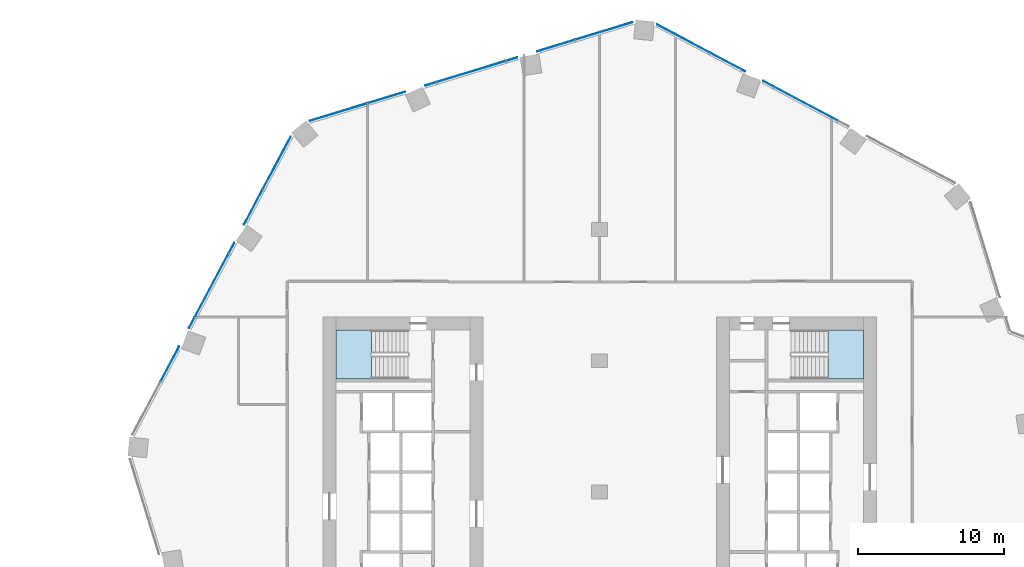
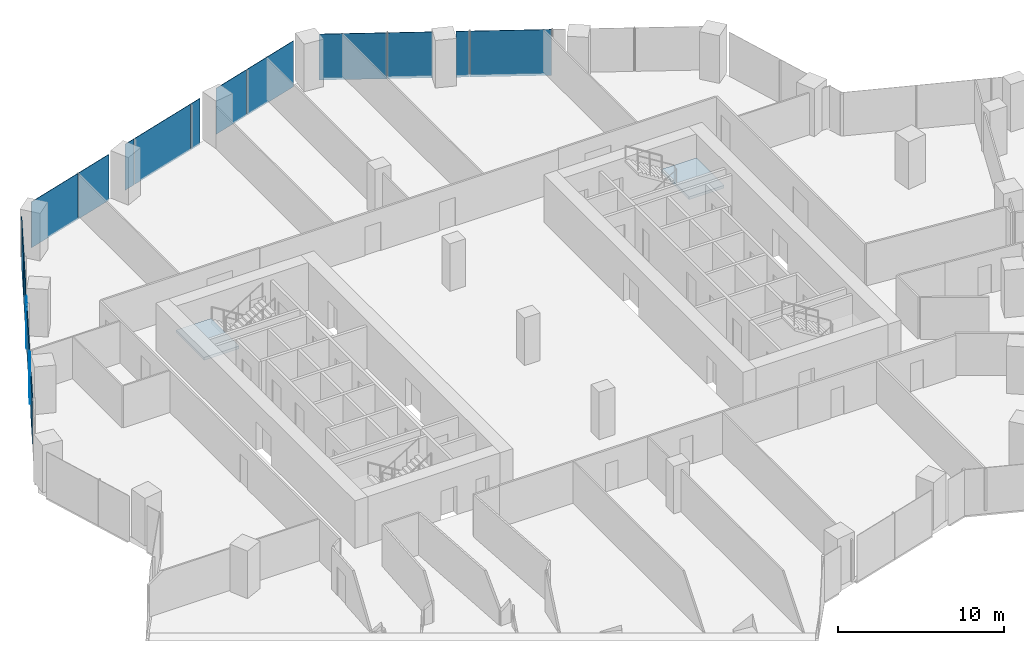
# One storey, part 21 of 31: 17 plates, 2 slabs, 5 elements without a shape of their own.
"""IFC4 building model written with IfcOpenShell, lengths in metres."""

import ifcopenshell
import ifcopenshell.guid

model = None  # the IFC model being written
_history = None  # IfcOwnerHistory: only IFC2X3 demands one
_inside = {}  # id of a spatial element -> (the spatial element, [elements in it])
_under = {}  # id of a project, library or spatial element -> (it, [spatial elements below it])
_declared = {}  # id of a project -> (the project, [libraries it declares])
_typed = {}  # id of a type object -> (the type object, [elements of that type])
_made_of = {}  # id of a material, layer set ... -> (it, [elements and type objects made of it])


def new_model(schema):
    """Start an empty IFC model of exactly this schema.

    Asked for "IFC4X3", IfcOpenShell would pick the latest addendum, in which some entities
    have other attributes; the version numbers below select the first issue.
    IFC2X3 requires an IfcOwnerHistory on every rooted entity: one is made here for all.
    """
    global model, _history
    if schema == "IFC4X3":
        model = ifcopenshell.file(schema_version=(4, 3, 0, 0))
    else:
        model = ifcopenshell.file(schema=schema)
    _inside.clear()
    _under.clear()
    _declared.clear()
    _typed.clear()
    _made_of.clear()
    _history = None
    if model.schema == "IFC2X3":
        org = make("IfcOrganization", Name="unknown")
        user = make(
            "IfcPersonAndOrganization",
            ThePerson=make("IfcPerson", FamilyName="unknown"),
            TheOrganization=org,
        )
        app = make(
            "IfcApplication",
            ApplicationDeveloper=org,
            Version="unknown",
            ApplicationFullName="unknown",
            ApplicationIdentifier="unknown",
        )
        _history = make(
            "IfcOwnerHistory",
            OwningUser=user,
            OwningApplication=app,
            ChangeAction="ADDED",
            CreationDate=0,
        )
    return model


def make(cls, **values):
    """One entity of the class cls with the attributes given. An attribute that is None is left unset."""
    return model.create_entity(
        cls, **{name: value for name, value in values.items() if value is not None}
    )


def rooted(cls, **values):
    """An entity with a GlobalId (a new one), such as an element, a storey or a relation."""
    return make(cls, GlobalId=ifcopenshell.guid.new(), OwnerHistory=_history, **values)


def si_unit(unit_type, name, prefix=None):
    """IfcSIUnit, for example si_unit("LENGTHUNIT", "METRE", prefix="MILLI")."""
    return make("IfcSIUnit", UnitType=unit_type, Prefix=prefix, Name=name)


def assignment(units):
    """IfcUnitAssignment: the units of a project."""
    return None if units is None else make("IfcUnitAssignment", Units=units)


def point(xyz):
    """IfcCartesianPoint."""
    return None if xyz is None else make("IfcCartesianPoint", Coordinates=xyz)


def direction(xyz):
    """IfcDirection."""
    return None if xyz is None else make("IfcDirection", DirectionRatios=xyz)


def frame(location, z_axis=None, x_axis=None):
    """IfcAxis2Placement3D, a coordinate frame: its origin and axes. An axis left out is left unset."""
    return make(
        "IfcAxis2Placement3D",
        Location=point(location),
        Axis=direction(z_axis),
        RefDirection=direction(x_axis),
    )


def frame_2d(location, x_axis=None):
    """IfcAxis2Placement2D, a coordinate frame in the plane: its origin and x axis."""
    return make(
        "IfcAxis2Placement2D", Location=point(location), RefDirection=direction(x_axis)
    )


def origin():
    """The frame at (0, 0, 0) with its axes left unset."""
    return frame((0.0, 0.0, 0.0))


def origin_2d():
    """The frame at (0, 0) in the plane with its x axis left unset."""
    return frame_2d((0.0, 0.0))


def place(relative_to, where):
    """IfcLocalPlacement: puts the frame where relative to a parent placement (None: the world)."""
    return make(
        "IfcLocalPlacement", PlacementRelTo=relative_to, RelativePlacement=where
    )


def context(
    kind, dimensions, precision=None, world=None, true_north=None, identifier=None
):
    """IfcGeometricRepresentationContext, for example the 3D "Model" context."""
    return make(
        "IfcGeometricRepresentationContext",
        ContextIdentifier=identifier,
        ContextType=kind,
        CoordinateSpaceDimension=dimensions,
        Precision=precision,
        WorldCoordinateSystem=world,
        TrueNorth=true_north,
    )


def subcontext(parent, identifier, kind, view, scale=None):
    """IfcGeometricRepresentationSubContext, for example "Body" below "Model"."""
    return make(
        "IfcGeometricRepresentationSubContext",
        ContextIdentifier=identifier,
        ContextType=kind,
        ParentContext=parent,
        TargetScale=scale,
        TargetView=view,
    )


def project(units=None, contexts=None):
    """IfcProject with its units and contexts."""
    return rooted(
        "IfcProject",
        Name="project",
        RepresentationContexts=contexts,
        UnitsInContext=assignment(units),
    )


def spatial(cls, under=None, at=None, **own):
    """A site, building, storey or space (cls), placed at a placement, below another one or the project."""
    s = rooted(cls, ObjectPlacement=at, **own)
    if under is not None:
        _under.setdefault(under.id(), (under, []))[1].append(s)
    return s


def polyline(points):
    """IfcPolyline through the points."""
    return make("IfcPolyline", Points=[point(p) for p in points])


def profile(cls, at=None, kind="AREA", **sizes):
    """A parametric profile (cls). Its sizes go by their IFC names, for example OverallWidth=200.0."""
    return make(cls, ProfileType=kind, Position=at, **sizes)


def rectangle(**sizes):
    """IfcRectangleProfileDef."""
    return profile("IfcRectangleProfileDef", **sizes)


def outline(outer, holes=None, kind="AREA"):
    """IfcArbitraryClosedProfileDef: a profile drawn as a closed curve; with holes, ...WithVoids."""
    if holes is None:
        return make("IfcArbitraryClosedProfileDef", ProfileType=kind, OuterCurve=outer)
    return make(
        "IfcArbitraryProfileDefWithVoids",
        ProfileType=kind,
        OuterCurve=outer,
        InnerCurves=holes,
    )


def extrude(swept, where, along, depth):
    """IfcExtrudedAreaSolid: the profile swept, set in the frame where, extruded along a direction by depth."""
    return make(
        "IfcExtrudedAreaSolid",
        SweptArea=swept,
        Position=where,
        ExtrudedDirection=direction(along),
        Depth=depth,
    )


def shape(context_of_items, identifier, shape_type, items):
    """IfcShapeRepresentation: the items that make up one representation, for example the "Body"."""
    return make(
        "IfcShapeRepresentation",
        ContextOfItems=context_of_items,
        RepresentationIdentifier=identifier,
        RepresentationType=shape_type,
        Items=items,
    )


def material(Name=None, Category=None):
    """IfcMaterial."""
    return make("IfcMaterial", Name=Name, Category=Category)


def layer(
    of_material, thickness, ventilated=None, Name=None, Category=None, Priority=None
):
    """IfcMaterialLayer: one layer of a wall or slab, of a material (None: an air gap)."""
    return make(
        "IfcMaterialLayer",
        Material=of_material,
        LayerThickness=thickness,
        IsVentilated=ventilated,
        Name=Name,
        Category=Category,
        Priority=Priority,
    )


def layer_set(layers, Name=None):
    """IfcMaterialLayerSet."""
    return make("IfcMaterialLayerSet", MaterialLayers=layers, LayerSetName=Name)


def made_of(thing, what):
    """Note that an element or type object is made of a material, layer set ...; save() writes the relation."""
    if what is not None:
        _made_of.setdefault(what.id(), (what, []))[1].append(thing)
    return thing


def type_object(cls, material=None, **own):
    """A type object (cls), such as IfcWallType, which elements share."""
    return made_of(rooted(cls, **own), material)


def element(
    cls,
    number,
    at=None,
    inside=None,
    cuts=None,
    type_object=None,
    material=None,
    context=None,
    identifier="Body",
    shape_type=None,
    held_by="IfcProductDefinitionShape",
    body=None,
    shapes=None,
    **own,
):
    """One element of the class cls, such as IfcWall. Its Tag is "e" and its number.

    at: its placement. inside: the storey or other place that contains it. cuts: it is an
    opening in that element (IfcRelVoidsElement). A single representation is given by context,
    identifier, shape_type and body (its items); several are given by shapes. held_by: the class
    of the entity that holds the representations. save() writes the other relations.
    """
    e = rooted(cls, Tag="e%d" % number, ObjectPlacement=at, **own)
    if body is not None:
        shapes = [shape(context, identifier, shape_type, body)]
    if shapes is not None:
        e.Representation = make(held_by, Representations=shapes)
    if inside is not None:
        _inside.setdefault(inside.id(), (inside, []))[1].append(e)
    if cuts is not None:
        rooted(
            "IfcRelVoidsElement", RelatingBuildingElement=cuts, RelatedOpeningElement=e
        )
    if type_object is not None:
        _typed.setdefault(type_object.id(), (type_object, []))[1].append(e)
    return made_of(e, material)


def aggregate(whole, parts):
    """IfcRelAggregates: a whole, such as a stair, and the parts it consists of."""
    return rooted("IfcRelAggregates", RelatingObject=whole, RelatedObjects=parts)


def save(model, path):
    """Write the relations noted so far, then the file.

    IfcRelAggregates (storeys below a building ...), IfcRelContainedInSpatialStructure (elements
    in a storey), IfcRelDefinesByType, IfcRelAssociatesMaterial and IfcRelDeclares: one each for
    every whole, place, type object, material and project.
    """
    for whole, parts in _under.values():
        aggregate(whole, parts)
    for where, things in _inside.values():
        rooted(
            "IfcRelContainedInSpatialStructure",
            RelatedElements=things,
            RelatingStructure=where,
        )
    for kind, things in _typed.values():
        rooted("IfcRelDefinesByType", RelatedObjects=things, RelatingType=kind)
    for what, things in _made_of.values():
        rooted("IfcRelAssociatesMaterial", RelatedObjects=things, RelatingMaterial=what)
    for by, libraries in _declared.values():
        rooted("IfcRelDeclares", RelatingContext=by, RelatedDefinitions=libraries)
    model.write(path)


model = new_model("IFC4")

# Units and contexts
model_context = context("Model", 3, precision=1e-05, world=origin(), true_north=direction((0.0, 1.0)))
body_context = subcontext(model_context, "Body", "Model", "MODEL_VIEW")
ifc_project = project(units=[si_unit("LENGTHUNIT", "METRE"), si_unit("AREAUNIT", "SQUARE_METRE"), si_unit("VOLUMEUNIT", "CUBIC_METRE"), si_unit("PLANEANGLEUNIT", "RADIAN"), si_unit("MASSUNIT", "GRAM", prefix="KILO")], contexts=[model_context])

# Site, building, storey
site_placement = place(None, origin())
site = spatial("IfcSite", under=ifc_project, at=site_placement, CompositionType="ELEMENT")
building_placement = place(site_placement, origin())
building = spatial("IfcBuilding", under=site, at=building_placement, Name="Orlundy Tower", CompositionType="ELEMENT")
storey_placement = place(building_placement, frame((0.0, 0.0, 87.699951171875)))
storey = spatial("IfcBuildingStorey", under=building, at=storey_placement, Name="L21", CompositionType="ELEMENT", Elevation=87.699951171875)

# Curtain wall, plates
ifc_material_1 = material(Name="Aluminium bronze anodised", Category="aluminium")
curtain_wall_type = type_object("IfcCurtainWallType", Name="CW1 wall", PredefinedType="NOTDEFINED", material=ifc_material_1)
curtain_wall_1_placement = place(storey_placement, origin())
curtain_wall_1 = element("IfcCurtainWall", 1, at=curtain_wall_1_placement, inside=storey, type_object=curtain_wall_type, Name="CW1 run 02", PredefinedType="NOTDEFINED")
ifc_material_2 = material(Name="Tinted glass", Category="glass")
ifc_layer_1 = layer(ifc_material_2, 0.031982421875)
ifc_layer_set_1 = layer_set([ifc_layer_1], Name="CW1 glass panel 32")
plate_type = type_object("IfcPlateType", Name="CW1 glass panel 32", PredefinedType="CURTAIN_PANEL", material=ifc_layer_set_1)
plate_1_placement = place(storey_placement, frame((-29.489501953125, 8.788818359375, -0.27978515625), z_axis=(0.0, 0.0, 1.0), x_axis=(0.469445471129, 0.882961465544, 0.0)))
plate_1 = element("IfcPlate", 2, at=plate_1_placement, type_object=plate_type, Name="CW1 panel", PredefinedType="CURTAIN_PANEL", context=body_context, shape_type="SweptSolid", body=[
    extrude(rectangle(XDim=2.69287109375, YDim=0.031982421875, at=origin_2d()), origin(), (0.0, 0.0, 1.0), 3.3798828125),
])
plate_2_placement = place(storey_placement, frame((-27.998779296875, 11.593017578125, -0.27978515625), z_axis=(0.0, 0.0, 1.0), x_axis=(0.469445471129, 0.882961465544, 0.0)))
plate_2 = element("IfcPlate", 3, at=plate_2_placement, type_object=plate_type, Name="CW1 panel", PredefinedType="CURTAIN_PANEL", context=body_context, shape_type="SweptSolid", body=[
    extrude(rectangle(XDim=0.79638671875, YDim=0.031982421875, at=origin_2d()), origin(), (0.0, 0.0, 1.0), 3.3798828125),
])
plate_3_placement = place(storey_placement, frame((-26.63330078125, 14.160888671875, -0.27978515625), z_axis=(0.0, 0.0, 1.0), x_axis=(0.469445471129, 0.882961465544, 0.0)))
plate_3 = element("IfcPlate", 4, at=plate_3_placement, type_object=plate_type, Name="CW1 panel", PredefinedType="CURTAIN_PANEL", context=body_context, shape_type="SweptSolid", body=[
    extrude(rectangle(XDim=4.920654296875, YDim=0.031982421875, at=origin_2d()), origin(), (0.0, 0.0, 1.0), 3.3798828125),
])
plate_4_placement = place(storey_placement, frame((-25.267822265625, 16.729248046875, -0.27978515625), z_axis=(0.0, 0.0, 1.0), x_axis=(0.469445471129, 0.882961465544, 0.0)))
plate_4 = element("IfcPlate", 5, at=plate_4_placement, type_object=plate_type, Name="CW1 panel", PredefinedType="CURTAIN_PANEL", context=body_context, shape_type="SweptSolid", body=[
    extrude(rectangle(XDim=0.796875, YDim=0.031982421875, at=origin_2d()), origin(), (0.0, 0.0, 1.0), 3.3798828125),
])
plate_5_placement = place(storey_placement, frame((-23.776123046875, 19.534912109375, -0.27978515625), z_axis=(0.0, 0.0, 1.0), x_axis=(0.469445471129, 0.882961465544, 0.0)))
plate_5 = element("IfcPlate", 6, at=plate_5_placement, type_object=plate_type, Name="CW1 panel", PredefinedType="CURTAIN_PANEL", context=body_context, shape_type="SweptSolid", body=[
    extrude(rectangle(XDim=2.68896484375, YDim=0.031982421875, at=origin_2d()), origin(), (0.0, 0.0, 1.0), 3.3798828125),
])
plate_6_placement = place(storey_placement, frame((-22.160400390625, 22.57373046875, -0.27978515625), z_axis=(0.0, 0.0, 1.0), x_axis=(0.469445471129, 0.882961465544, 0.0)))
plate_6 = element("IfcPlate", 7, at=plate_6_placement, type_object=plate_type, Name="CW1 panel", PredefinedType="CURTAIN_PANEL", context=body_context, shape_type="SweptSolid", body=[
    extrude(rectangle(XDim=4.09423828125, YDim=0.031982421875, at=origin_2d()), origin(), (0.0, 0.0, 1.0), 3.3798828125),
])
aggregate(curtain_wall_1, [plate_1, plate_2, plate_3, plate_4, plate_5, plate_6])

curtain_wall_2_placement = place(storey_placement, origin())
curtain_wall_2 = element("IfcCurtainWall", 8, at=curtain_wall_2_placement, inside=storey, type_object=curtain_wall_type, Name="CW1 run 03", PredefinedType="NOTDEFINED")
plate_7_placement = place(storey_placement, frame((-17.930419921875, 26.060546875, -0.27978515625), z_axis=(0.0, 0.0, 1.0), x_axis=(0.956308143364, 0.292360624804, 0.0)))
plate_7 = element("IfcPlate", 9, at=plate_7_placement, type_object=plate_type, Name="CW1 panel", PredefinedType="CURTAIN_PANEL", context=body_context, shape_type="SweptSolid", body=[
    extrude(rectangle(XDim=4.092529296875, YDim=0.031982421875, at=origin_2d()), origin(), (0.0, 0.0, 1.0), 3.3798828125),
])
plate_8_placement = place(storey_placement, frame((-14.64111328125, 27.066162109375, -0.27978515625), z_axis=(0.0, 0.0, 1.0), x_axis=(0.956308143364, 0.292360624804, 0.0)))
plate_8 = element("IfcPlate", 10, at=plate_8_placement, type_object=plate_type, Name="CW1 panel", PredefinedType="CURTAIN_PANEL", context=body_context, shape_type="SweptSolid", body=[
    extrude(rectangle(XDim=2.686767578125, YDim=0.031982421875, at=origin_2d()), origin(), (0.0, 0.0, 1.0), 3.3798828125),
])
plate_9_placement = place(storey_placement, frame((-11.600830078125, 27.99560546875, -0.27978515625), z_axis=(0.0, 0.0, 1.0), x_axis=(0.956308143364, 0.292360624804, 0.0)))
plate_9 = element("IfcPlate", 11, at=plate_9_placement, type_object=plate_type, Name="CW1 panel", PredefinedType="CURTAIN_PANEL", context=body_context, shape_type="SweptSolid", body=[
    extrude(rectangle(XDim=0.796142578125, YDim=0.031982421875, at=origin_2d()), origin(), (0.0, 0.0, 1.0), 3.3798828125),
])
plate_10_placement = place(storey_placement, frame((-8.8193359375, 28.845947265625, -0.27978515625), z_axis=(0.0, 0.0, 1.0), x_axis=(0.956308143364, 0.292360624804, 0.0)))
plate_10 = element("IfcPlate", 12, at=plate_10_placement, type_object=plate_type, Name="CW1 panel", PredefinedType="CURTAIN_PANEL", context=body_context, shape_type="SweptSolid", body=[
    extrude(rectangle(XDim=4.920654296875, YDim=0.031982421875, at=origin_2d()), origin(), (0.0, 0.0, 1.0), 3.3798828125),
])
plate_11_placement = place(storey_placement, frame((-6.037841796875, 29.6962890625, -0.27978515625), z_axis=(0.0, 0.0, 1.0), x_axis=(0.956308143364, 0.292360624804, 0.0)))
plate_11 = element("IfcPlate", 13, at=plate_11_placement, type_object=plate_type, Name="CW1 panel", PredefinedType="CURTAIN_PANEL", context=body_context, shape_type="SweptSolid", body=[
    extrude(rectangle(XDim=0.796630859375, YDim=0.031982421875, at=origin_2d()), origin(), (0.0, 0.0, 1.0), 3.3798828125),
])
plate_12_placement = place(storey_placement, frame((-2.999755859375, 30.625, -0.27978515625), z_axis=(0.0, 0.0, 1.0), x_axis=(0.956308143364, 0.292360624804, 0.0)))
plate_12 = element("IfcPlate", 14, at=plate_12_placement, type_object=plate_type, Name="CW1 panel", PredefinedType="CURTAIN_PANEL", context=body_context, shape_type="SweptSolid", body=[
    extrude(rectangle(XDim=2.6904296875, YDim=0.031982421875, at=origin_2d()), origin(), (0.0, 0.0, 1.0), 3.3798828125),
])
plate_13_placement = place(storey_placement, frame((0.2919921875, 31.63134765625, -0.27978515625), z_axis=(0.0, 0.0, 1.0), x_axis=(0.956308143364, 0.292360624804, 0.0)))
plate_13 = element("IfcPlate", 15, at=plate_13_placement, type_object=plate_type, Name="CW1 panel", PredefinedType="CURTAIN_PANEL", context=body_context, shape_type="SweptSolid", body=[
    extrude(rectangle(XDim=4.09375, YDim=0.031982421875, at=origin_2d()), origin(), (0.0, 0.0, 1.0), 3.3798828125),
])
aggregate(curtain_wall_2, [plate_7, plate_8, plate_9, plate_10, plate_11, plate_12, plate_13])

curtain_wall_3_placement = place(storey_placement, origin())
curtain_wall_3 = element("IfcCurtainWall", 16, at=curtain_wall_3_placement, inside=storey, type_object=curtain_wall_type, Name="CW1 run 04", PredefinedType="NOTDEFINED")
plate_14_placement = place(storey_placement, frame((5.74853515625, 31.10595703125, -0.27978515625), z_axis=(0.0, 0.0, 1.0), x_axis=(0.882961465544, -0.469445471129, 0.0)))
plate_14 = element("IfcPlate", 17, at=plate_14_placement, type_object=plate_type, Name="CW1 panel", PredefinedType="CURTAIN_PANEL", context=body_context, shape_type="SweptSolid", body=[
    extrude(rectangle(XDim=4.09326171875, YDim=0.031982421875, at=origin_2d()), origin(), (0.0, 0.0, 1.0), 3.3798828125),
])
plate_15_placement = place(storey_placement, frame((8.788818359375, 29.489501953125, -0.27978515625), z_axis=(0.0, 0.0, 1.0), x_axis=(0.882961465544, -0.469445471129, 0.0)))
plate_15 = element("IfcPlate", 18, at=plate_15_placement, type_object=plate_type, Name="CW1 panel", PredefinedType="CURTAIN_PANEL", context=body_context, shape_type="SweptSolid", body=[
    extrude(rectangle(XDim=2.69287109375, YDim=0.031982421875, at=origin_2d()), origin(), (0.0, 0.0, 1.0), 3.3798828125),
])
plate_16_placement = place(storey_placement, frame((11.593017578125, 27.998779296875, -0.27978515625), z_axis=(0.0, 0.0, 1.0), x_axis=(0.882961465544, -0.469445471129, 0.0)))
plate_16 = element("IfcPlate", 19, at=plate_16_placement, type_object=plate_type, Name="CW1 panel", PredefinedType="CURTAIN_PANEL", context=body_context, shape_type="SweptSolid", body=[
    extrude(rectangle(XDim=0.79638671875, YDim=0.031982421875, at=origin_2d()), origin(), (0.0, 0.0, 1.0), 3.3798828125),
])
plate_17_placement = place(storey_placement, frame((14.160888671875, 26.63330078125, -0.27978515625), z_axis=(0.0, 0.0, 1.0), x_axis=(0.882961465544, -0.469445471129, 0.0)))
plate_17 = element("IfcPlate", 20, at=plate_17_placement, type_object=plate_type, Name="CW1 panel", PredefinedType="CURTAIN_PANEL", context=body_context, shape_type="SweptSolid", body=[
    extrude(rectangle(XDim=4.920654296875, YDim=0.031982421875, at=origin_2d()), origin(), (0.0, 0.0, 1.0), 3.3798828125),
])
aggregate(curtain_wall_3, [plate_14, plate_15, plate_16, plate_17])

# Stair, slab
ifc_material_3 = material(Name="Concrete C50/60", Category="concrete")
stair_type = type_object("IfcStairType", Name="Exit Stair 20 risers", PredefinedType="HALF_TURN_STAIR", material=ifc_material_3)
stair_1_placement = place(storey_placement, origin())
stair_1 = element("IfcStair", 21, at=stair_1_placement, inside=storey, type_object=stair_type, Name="L21 Exit Stair ST-W1", PredefinedType="HALF_TURN_STAIR")
ifc_material_4 = material(Name="Concrete C50/60", Category="concrete")
ifc_layer_2 = layer(ifc_material_4, 0.199951171875)
ifc_layer_set_2 = layer_set([ifc_layer_2], Name="Exit Stair Landing")
slab_type = type_object("IfcSlabType", Name="Exit Stair Landing", PredefinedType="LANDING", material=ifc_layer_set_2)
slab_1_placement = place(storey_placement, frame((0.0, 0.0, 1.550048828125)))
slab_1 = element("IfcSlab", 22, at=slab_1_placement, type_object=slab_type, Name="ST-W1 landing 1", PredefinedType="LANDING", context=body_context, shape_type="SweptSolid", body=[
    extrude(outline(polyline([(-15.659912109375, 11.10009765625), (-18.10009765625, 11.10009765625), (-18.10009765625, 7.75), (-15.659912109375, 7.75), (-15.659912109375, 11.10009765625)])), origin(), (0.0, 0.0, 1.0), 0.199951171875),
])
aggregate(stair_1, [slab_1])

stair_2_placement = place(storey_placement, origin())
stair_2 = element("IfcStair", 23, at=stair_2_placement, inside=storey, type_object=stair_type, Name="L21 Exit Stair ST-E2", PredefinedType="HALF_TURN_STAIR")
slab_2_placement = place(storey_placement, frame((0.0, 0.0, 1.550048828125)))
slab_2 = element("IfcSlab", 24, at=slab_2_placement, type_object=slab_type, Name="ST-E2 landing 1", PredefinedType="LANDING", context=body_context, shape_type="SweptSolid", body=[
    extrude(outline(polyline([(15.659912109375, 7.75), (18.10009765625, 7.75), (18.10009765625, 11.10009765625), (15.659912109375, 11.10009765625), (15.659912109375, 7.75)])), origin(), (0.0, 0.0, 1.0), 0.199951171875),
])
aggregate(stair_2, [slab_2])

save(model, "model.ifc")
